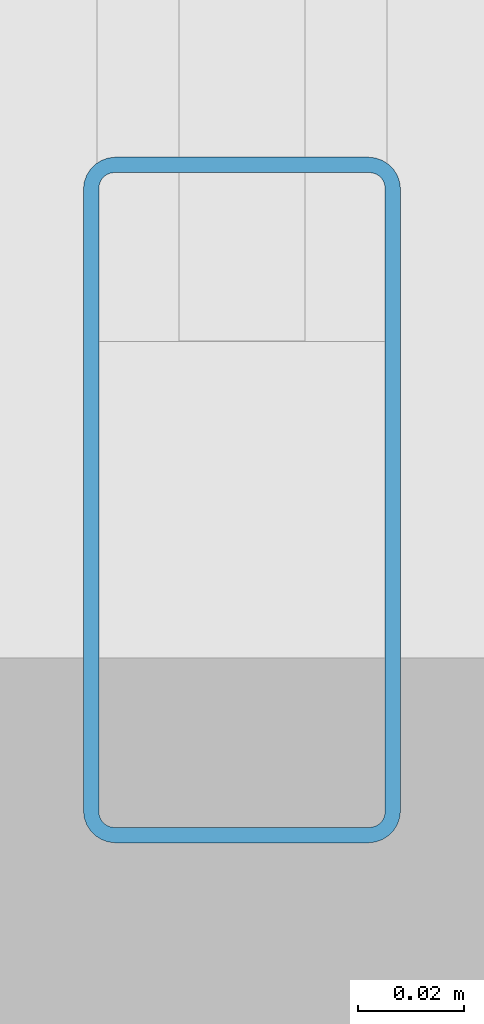
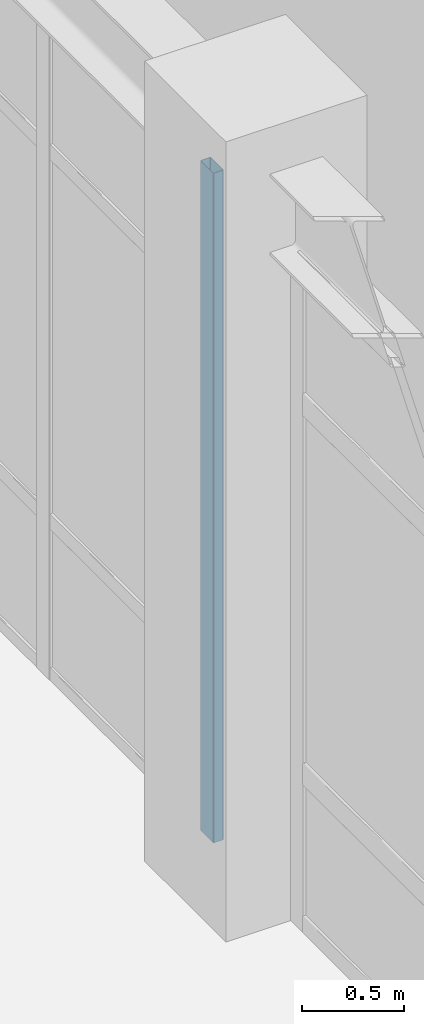
# One storey, part 42 of 98: 1 member, 1 element without a shape of its own.
"""IFC4 building model written with IfcOpenShell, lengths in metres."""

from ifc_helpers import new_model, si_unit, direction, frame, origin, origin_2d, place, context, subcontext, project, spatial, hollow_rectangle, extrude, material, material_profile, profile_set, type_object, element, aggregate, save


model = new_model("IFC4")

# Units and contexts
model_context = context("Model", 3, precision=1e-05, world=origin(), true_north=direction((0.0, 1.0)))
body_context = subcontext(model_context, "Body", "Model", "MODEL_VIEW")
ifc_project = project(units=[si_unit("LENGTHUNIT", "METRE"), si_unit("AREAUNIT", "SQUARE_METRE"), si_unit("VOLUMEUNIT", "CUBIC_METRE"), si_unit("PLANEANGLEUNIT", "RADIAN"), si_unit("MASSUNIT", "GRAM", prefix="KILO")], contexts=[model_context])

# Site, building, storey
site_placement = place(None, origin())
site = spatial("IfcSite", under=ifc_project, at=site_placement, CompositionType="ELEMENT")
building_placement = place(site_placement, origin())
building = spatial("IfcBuilding", under=site, at=building_placement, Name="Canglan Escarpment Cableway Terminal", CompositionType="ELEMENT")
storey_placement = place(building_placement, frame((0.0, 0.0, 9.60009765625)))
storey = spatial("IfcBuildingStorey", under=building, at=storey_placement, Name="L02", CompositionType="ELEMENT", Elevation=9.60009765625)

# Curtain wall, member
ifc_material_1 = material(Name="Anodized bronze aluminium and Low-E double glazing", Category="aluminium")
curtain_wall_type = type_object("IfcCurtainWallType", Name="CW-BAY-8200x4025", PredefinedType="NOTDEFINED", material=ifc_material_1)
curtain_wall_placement = place(storey_placement, origin())
curtain_wall = element("IfcCurtainWall", 1, at=curtain_wall_placement, inside=storey, type_object=curtain_wall_type, Name="Classical bay-between-piers glazed curtain wall CW-44", PredefinedType="NOTDEFINED")
ifc_material_2 = material(Name="Thermally broken anodized aluminium 6063-T6", Category="aluminium")
ifc_material_profile = material_profile(ifc_material_2, hollow_rectangle(XDim=0.06005859375, YDim=0.1298828125, WallThickness=0.0029296875, InnerFilletRadius=0.0029296875, OuterFilletRadius=0.006103515625, at=origin_2d()), Name="ALU-MULL 60x130x3")
ifc_profile_set = profile_set([ifc_material_profile], Name="Thermally broken anodized aluminium 6063-T6")
member_type = type_object("IfcMemberType", Name="CWM-01", PredefinedType="MULLION", material=ifc_profile_set)
member_placement = place(storey_placement, frame((115.10009765625, 70.429931640625, 0.0), z_axis=(0.0, 0.0, 1.0), x_axis=(1.0, 0.0, 0.0)))
member = element("IfcMember", 2, at=member_placement, type_object=member_type, Name="CW-44 mullion 6", PredefinedType="MULLION", context=body_context, shape_type="SweptSolid", body=[
    extrude(hollow_rectangle(XDim=0.06005859375, YDim=0.1298828125, WallThickness=0.0029296875, InnerFilletRadius=0.0029296875, OuterFilletRadius=0.006103515625, at=origin_2d()), origin(), (0.0, 0.0, 1.0), 4.016845703125),
])
aggregate(curtain_wall, [member])

save(model, "model.ifc")
